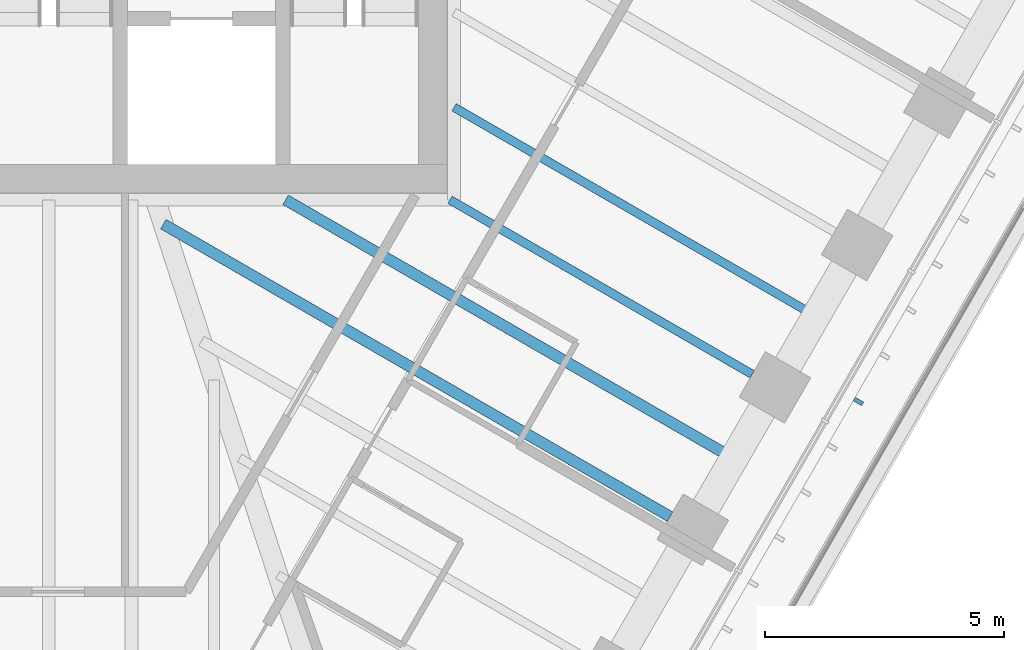
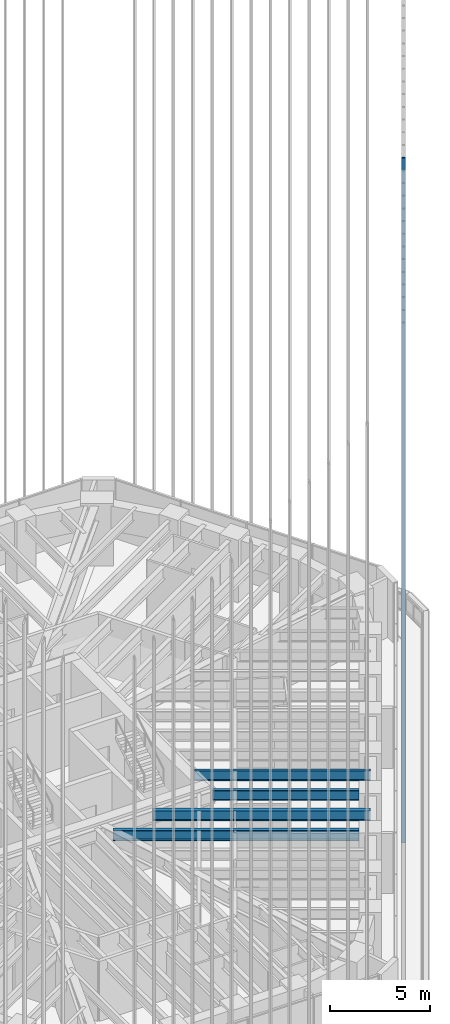
# One storey, part 42 of 127: 4 beams, 1 member, 1 element without a shape of its own.
"""IFC4 building model written with IfcOpenShell, lengths in metres."""

import ifcopenshell
import ifcopenshell.guid

model = None  # the IFC model being written
_history = None  # IfcOwnerHistory: only IFC2X3 demands one
_inside = {}  # id of a spatial element -> (the spatial element, [elements in it])
_under = {}  # id of a project, library or spatial element -> (it, [spatial elements below it])
_declared = {}  # id of a project -> (the project, [libraries it declares])
_typed = {}  # id of a type object -> (the type object, [elements of that type])
_made_of = {}  # id of a material, layer set ... -> (it, [elements and type objects made of it])


def new_model(schema):
    """Start an empty IFC model of exactly this schema.

    Asked for "IFC4X3", IfcOpenShell would pick the latest addendum, in which some entities
    have other attributes; the version numbers below select the first issue.
    IFC2X3 requires an IfcOwnerHistory on every rooted entity: one is made here for all.
    """
    global model, _history
    if schema == "IFC4X3":
        model = ifcopenshell.file(schema_version=(4, 3, 0, 0))
    else:
        model = ifcopenshell.file(schema=schema)
    _inside.clear()
    _under.clear()
    _declared.clear()
    _typed.clear()
    _made_of.clear()
    _history = None
    if model.schema == "IFC2X3":
        org = make("IfcOrganization", Name="unknown")
        user = make(
            "IfcPersonAndOrganization",
            ThePerson=make("IfcPerson", FamilyName="unknown"),
            TheOrganization=org,
        )
        app = make(
            "IfcApplication",
            ApplicationDeveloper=org,
            Version="unknown",
            ApplicationFullName="unknown",
            ApplicationIdentifier="unknown",
        )
        _history = make(
            "IfcOwnerHistory",
            OwningUser=user,
            OwningApplication=app,
            ChangeAction="ADDED",
            CreationDate=0,
        )
    return model


def make(cls, **values):
    """One entity of the class cls with the attributes given. An attribute that is None is left unset."""
    return model.create_entity(
        cls, **{name: value for name, value in values.items() if value is not None}
    )


def rooted(cls, **values):
    """An entity with a GlobalId (a new one), such as an element, a storey or a relation."""
    return make(cls, GlobalId=ifcopenshell.guid.new(), OwnerHistory=_history, **values)


def si_unit(unit_type, name, prefix=None):
    """IfcSIUnit, for example si_unit("LENGTHUNIT", "METRE", prefix="MILLI")."""
    return make("IfcSIUnit", UnitType=unit_type, Prefix=prefix, Name=name)


def assignment(units):
    """IfcUnitAssignment: the units of a project."""
    return None if units is None else make("IfcUnitAssignment", Units=units)


def point(xyz):
    """IfcCartesianPoint."""
    return None if xyz is None else make("IfcCartesianPoint", Coordinates=xyz)


def direction(xyz):
    """IfcDirection."""
    return None if xyz is None else make("IfcDirection", DirectionRatios=xyz)


def frame(location, z_axis=None, x_axis=None):
    """IfcAxis2Placement3D, a coordinate frame: its origin and axes. An axis left out is left unset."""
    return make(
        "IfcAxis2Placement3D",
        Location=point(location),
        Axis=direction(z_axis),
        RefDirection=direction(x_axis),
    )


def frame_2d(location, x_axis=None):
    """IfcAxis2Placement2D, a coordinate frame in the plane: its origin and x axis."""
    return make(
        "IfcAxis2Placement2D", Location=point(location), RefDirection=direction(x_axis)
    )


def origin():
    """The frame at (0, 0, 0) with its axes left unset."""
    return frame((0.0, 0.0, 0.0))


def origin_2d():
    """The frame at (0, 0) in the plane with its x axis left unset."""
    return frame_2d((0.0, 0.0))


def place(relative_to, where):
    """IfcLocalPlacement: puts the frame where relative to a parent placement (None: the world)."""
    return make(
        "IfcLocalPlacement", PlacementRelTo=relative_to, RelativePlacement=where
    )


def context(
    kind, dimensions, precision=None, world=None, true_north=None, identifier=None
):
    """IfcGeometricRepresentationContext, for example the 3D "Model" context."""
    return make(
        "IfcGeometricRepresentationContext",
        ContextIdentifier=identifier,
        ContextType=kind,
        CoordinateSpaceDimension=dimensions,
        Precision=precision,
        WorldCoordinateSystem=world,
        TrueNorth=true_north,
    )


def subcontext(parent, identifier, kind, view, scale=None):
    """IfcGeometricRepresentationSubContext, for example "Body" below "Model"."""
    return make(
        "IfcGeometricRepresentationSubContext",
        ContextIdentifier=identifier,
        ContextType=kind,
        ParentContext=parent,
        TargetScale=scale,
        TargetView=view,
    )


def project(units=None, contexts=None):
    """IfcProject with its units and contexts."""
    return rooted(
        "IfcProject",
        Name="project",
        RepresentationContexts=contexts,
        UnitsInContext=assignment(units),
    )


def spatial(cls, under=None, at=None, **own):
    """A site, building, storey or space (cls), placed at a placement, below another one or the project."""
    s = rooted(cls, ObjectPlacement=at, **own)
    if under is not None:
        _under.setdefault(under.id(), (under, []))[1].append(s)
    return s


def profile(cls, at=None, kind="AREA", **sizes):
    """A parametric profile (cls). Its sizes go by their IFC names, for example OverallWidth=200.0."""
    return make(cls, ProfileType=kind, Position=at, **sizes)


def rectangle(**sizes):
    """IfcRectangleProfileDef."""
    return profile("IfcRectangleProfileDef", **sizes)


def i_section(**sizes):
    """IfcIShapeProfileDef."""
    return profile("IfcIShapeProfileDef", **sizes)


def extrude(swept, where, along, depth):
    """IfcExtrudedAreaSolid: the profile swept, set in the frame where, extruded along a direction by depth."""
    return make(
        "IfcExtrudedAreaSolid",
        SweptArea=swept,
        Position=where,
        ExtrudedDirection=direction(along),
        Depth=depth,
    )


def shape(context_of_items, identifier, shape_type, items):
    """IfcShapeRepresentation: the items that make up one representation, for example the "Body"."""
    return make(
        "IfcShapeRepresentation",
        ContextOfItems=context_of_items,
        RepresentationIdentifier=identifier,
        RepresentationType=shape_type,
        Items=items,
    )


def material(Name=None, Category=None):
    """IfcMaterial."""
    return make("IfcMaterial", Name=Name, Category=Category)


def material_profile(
    of_material, cross_section, Name=None, Category=None, Priority=None
):
    """IfcMaterialProfile: a cross section and its material."""
    return make(
        "IfcMaterialProfile",
        Name=Name,
        Material=of_material,
        Profile=cross_section,
        Priority=Priority,
        Category=Category,
    )


def profile_set(profiles, Name=None, composite=None):
    """IfcMaterialProfileSet."""
    return make(
        "IfcMaterialProfileSet",
        Name=Name,
        MaterialProfiles=profiles,
        CompositeProfile=composite,
    )


def made_of(thing, what):
    """Note that an element or type object is made of a material, layer set ...; save() writes the relation."""
    if what is not None:
        _made_of.setdefault(what.id(), (what, []))[1].append(thing)
    return thing


def type_object(cls, material=None, **own):
    """A type object (cls), such as IfcWallType, which elements share."""
    return made_of(rooted(cls, **own), material)


def element(
    cls,
    number,
    at=None,
    inside=None,
    cuts=None,
    type_object=None,
    material=None,
    context=None,
    identifier="Body",
    shape_type=None,
    held_by="IfcProductDefinitionShape",
    body=None,
    shapes=None,
    **own,
):
    """One element of the class cls, such as IfcWall. Its Tag is "e" and its number.

    at: its placement. inside: the storey or other place that contains it. cuts: it is an
    opening in that element (IfcRelVoidsElement). A single representation is given by context,
    identifier, shape_type and body (its items); several are given by shapes. held_by: the class
    of the entity that holds the representations. save() writes the other relations.
    """
    e = rooted(cls, Tag="e%d" % number, ObjectPlacement=at, **own)
    if body is not None:
        shapes = [shape(context, identifier, shape_type, body)]
    if shapes is not None:
        e.Representation = make(held_by, Representations=shapes)
    if inside is not None:
        _inside.setdefault(inside.id(), (inside, []))[1].append(e)
    if cuts is not None:
        rooted(
            "IfcRelVoidsElement", RelatingBuildingElement=cuts, RelatedOpeningElement=e
        )
    if type_object is not None:
        _typed.setdefault(type_object.id(), (type_object, []))[1].append(e)
    return made_of(e, material)


def aggregate(whole, parts):
    """IfcRelAggregates: a whole, such as a stair, and the parts it consists of."""
    return rooted("IfcRelAggregates", RelatingObject=whole, RelatedObjects=parts)


def save(model, path):
    """Write the relations noted so far, then the file.

    IfcRelAggregates (storeys below a building ...), IfcRelContainedInSpatialStructure (elements
    in a storey), IfcRelDefinesByType, IfcRelAssociatesMaterial and IfcRelDeclares: one each for
    every whole, place, type object, material and project.
    """
    for whole, parts in _under.values():
        aggregate(whole, parts)
    for where, things in _inside.values():
        rooted(
            "IfcRelContainedInSpatialStructure",
            RelatedElements=things,
            RelatingStructure=where,
        )
    for kind, things in _typed.values():
        rooted("IfcRelDefinesByType", RelatedObjects=things, RelatingType=kind)
    for what, things in _made_of.values():
        rooted("IfcRelAssociatesMaterial", RelatedObjects=things, RelatingMaterial=what)
    for by, libraries in _declared.values():
        rooted("IfcRelDeclares", RelatingContext=by, RelatedDefinitions=libraries)
    model.write(path)


model = new_model("IFC4")

# Units and contexts
model_context = context("Model", 3, precision=1e-05, world=origin(), true_north=direction((0.0, 1.0)))
body_context = subcontext(model_context, "Body", "Model", "MODEL_VIEW")
ifc_project = project(units=[si_unit("LENGTHUNIT", "METRE"), si_unit("AREAUNIT", "SQUARE_METRE"), si_unit("VOLUMEUNIT", "CUBIC_METRE"), si_unit("PLANEANGLEUNIT", "RADIAN"), si_unit("MASSUNIT", "GRAM", prefix="KILO")], contexts=[model_context])

# Site, building, storey
site_placement = place(None, origin())
site = spatial("IfcSite", under=ifc_project, at=site_placement, CompositionType="ELEMENT")
building_placement = place(site_placement, origin())
building = spatial("IfcBuilding", under=site, at=building_placement, Name="Sandreach Pilgrim Tower", CompositionType="ELEMENT")
storey_placement = place(building_placement, frame((0.0, 0.0, 257.0)))
storey = spatial("IfcBuildingStorey", under=building, at=storey_placement, Name="L64", CompositionType="ELEMENT", Elevation=257.0)

# Beams
ifc_material_1 = material(Name="Steel ASTM A992 Grade 50", Category="steel")
ifc_material_profile_1 = material_profile(ifc_material_1, i_section(OverallWidth=0.1787109375, OverallDepth=0.60205078125, WebThickness=0.010986328125, FlangeThickness=0.014892578125, at=origin_2d()), Name="W24X62")
ifc_profile_set_1 = profile_set([ifc_material_profile_1], Name="Steel ASTM A992 Grade 50")
beam_type_1 = type_object("IfcBeamType", Name="Floor beam W24X62", PredefinedType="BEAM", material=ifc_profile_set_1)
beam_1_placement = place(storey_placement, frame((14.741455078125, -10.5, 3.339111328125), z_axis=(-0.866019920622, 0.500009496996, 0.0), x_axis=(-0.500009496996, -0.866019920622, 0.0)))
element("IfcBeam", 1, at=beam_1_placement, inside=storey, type_object=beam_type_1, Name="BM L64 F18", PredefinedType="BEAM", context=body_context, shape_type="SweptSolid", body=[
    extrude(i_section(OverallWidth=0.1787109375, OverallDepth=0.60205078125, WebThickness=0.010986328125, FlangeThickness=0.014892578125, at=origin_2d()), origin(), (0.0, 0.0, 1.0), 7.313232421875),
])
beam_2_placement = place(storey_placement, frame((16.0791015625, -9.283203125, 3.339111328125), z_axis=(-0.866023595995, 0.500003131169, 0.0), x_axis=(-0.500003131169, -0.866023595995, 0.0)))
element("IfcBeam", 2, at=beam_2_placement, inside=storey, type_object=beam_type_1, Name="BM L64 FM17", PredefinedType="BEAM", context=body_context, shape_type="SweptSolid", body=[
    extrude(i_section(OverallWidth=0.1787109375, OverallDepth=0.60205078125, WebThickness=0.010986328125, FlangeThickness=0.014892578125, at=origin_2d()), origin(), (0.0, 0.0, 1.0), 8.75927734375),
])
ifc_material_2 = material(Name="Steel ASTM A992 Grade 50", Category="steel")
ifc_material_profile_2 = material_profile(ifc_material_2, i_section(OverallWidth=0.23046875, OverallDepth=0.6171875, WebThickness=0.01318359375, FlangeThickness=0.022216796875, at=origin_2d()), Name="W24X94")
ifc_profile_set_2 = profile_set([ifc_material_profile_2], Name="Steel ASTM A992 Grade 50")
beam_type_2 = type_object("IfcBeamType", Name="Floor beam W24X94", PredefinedType="BEAM", material=ifc_profile_set_2)
beam_3_placement = place(storey_placement, frame((13.018798828125, -13.4833984375, 3.331298828125), z_axis=(-0.866019132277, 0.500010862412, 0.0), x_axis=(-0.500010862412, -0.866019132277, 0.0)))
element("IfcBeam", 3, at=beam_3_placement, inside=storey, type_object=beam_type_2, Name="BM L64 F19", PredefinedType="BEAM", context=body_context, shape_type="SweptSolid", body=[
    extrude(i_section(OverallWidth=0.23046875, OverallDepth=0.6171875, WebThickness=0.01318359375, FlangeThickness=0.022216796875, at=origin_2d()), origin(), (0.0, 0.0, 1.0), 12.261474609375),
])
beam_4_placement = place(storey_placement, frame((14.3564453125, -12.2666015625, 3.331298828125), z_axis=(-0.866026660645, 0.499997823047, 0.0), x_axis=(-0.499997823047, -0.866026660645, 0.0)))
element("IfcBeam", 4, at=beam_4_placement, inside=storey, type_object=beam_type_2, Name="BM L64 FM18", PredefinedType="BEAM", context=body_context, shape_type="SweptSolid", body=[
    extrude(i_section(OverallWidth=0.23046875, OverallDepth=0.6171875, WebThickness=0.01318359375, FlangeThickness=0.022216796875, at=origin_2d()), origin(), (0.0, 0.0, 1.0), 10.8466796875),
])

# Curtain wall, member
ifc_material_3 = material(Name="Aluminium framed curtain wall", Category="aluminium")
curtain_wall_type = type_object("IfcCurtainWallType", Name="Suite tower curtain wall", PredefinedType="NOTDEFINED", material=ifc_material_3)
curtain_wall_placement = place(storey_placement, origin())
curtain_wall = element("IfcCurtainWall", 5, at=curtain_wall_placement, inside=storey, type_object=curtain_wall_type, Name="CW-4 L64 SE", PredefinedType="NOTDEFINED")
ifc_material_4 = material(Name="Extruded terracotta on aluminium core", Category="masonry")
ifc_material_profile_3 = material_profile(ifc_material_4, rectangle(XDim=0.080078125, YDim=0.199951171875, at=origin_2d()), Name="TBE 80X200")
ifc_profile_set_3 = profile_set([ifc_material_profile_3], Name="Extruded terracotta on aluminium core")
member_type = type_object("IfcMemberType", Name="Terracotta baguette east", PredefinedType="USERDEFINED", material=ifc_profile_set_3)
member_placement = place(storey_placement, frame((16.965576171875, -11.067626953125, 0.0), z_axis=(0.0, 0.0, 1.0), x_axis=(-0.5, -0.866025403784, 0.0)))
member = element("IfcMember", 6, at=member_placement, type_object=member_type, Name="Baguette Z4 SE16", ObjectType="BAGUETTE", PredefinedType="USERDEFINED", context=body_context, shape_type="SweptSolid", body=[
    extrude(rectangle(XDim=0.080078125, YDim=0.199951171875, at=origin_2d()), origin(), (0.0, 0.0, 1.0), 41.639892578125),
])
aggregate(curtain_wall, [member])

save(model, "model.ifc")
